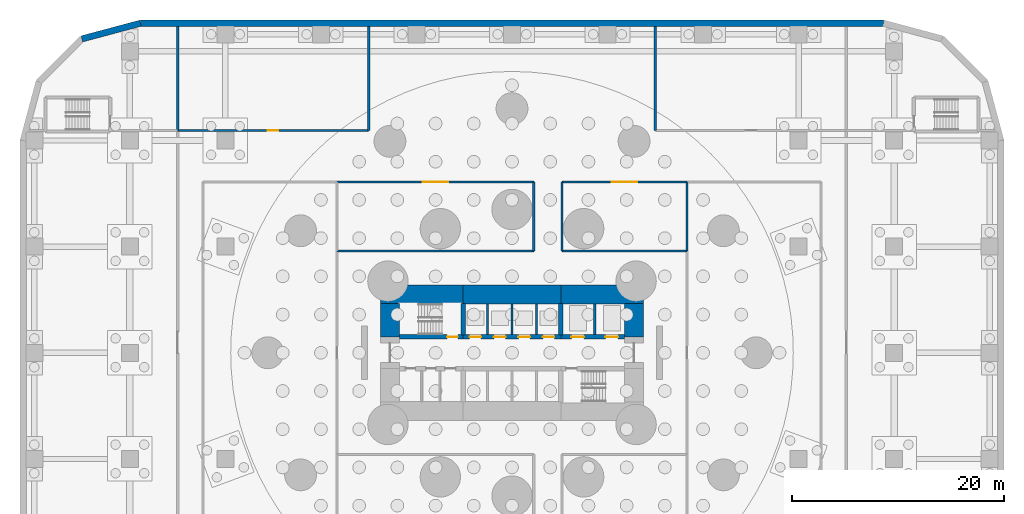
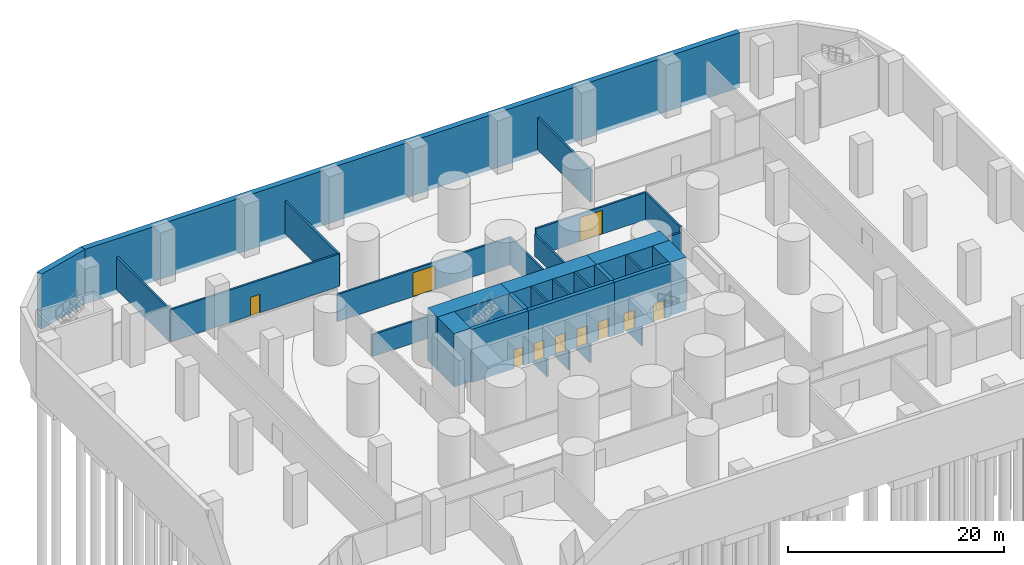
# One storey, part 6 of 10: 27 walls, 10 doors, 10 openings.
"""IFC4 building model written with IfcOpenShell, lengths in metres."""

from ifc_helpers import new_model, si_unit, direction, frame, frame_2d, origin, place, context, subcontext, project, spatial, rectangle, extrude, material, layer, layer_set, type_object, element, fill, save


model = new_model("IFC4")

# Units and contexts
model_context = context("Model", 3, precision=1e-05, world=origin(), true_north=direction((0.0, 1.0)))
body_context = subcontext(model_context, "Body", "Model", "MODEL_VIEW")
ifc_project = project(units=[si_unit("LENGTHUNIT", "METRE"), si_unit("AREAUNIT", "SQUARE_METRE"), si_unit("VOLUMEUNIT", "CUBIC_METRE"), si_unit("PLANEANGLEUNIT", "RADIAN"), si_unit("MASSUNIT", "GRAM", prefix="KILO")], contexts=[model_context])

# Site, building, storey
site_placement = place(None, origin())
site = spatial("IfcSite", under=ifc_project, at=site_placement, CompositionType="ELEMENT")
building_placement = place(site_placement, origin())
building = spatial("IfcBuilding", under=site, at=building_placement, Name="Qaws Media Tower", CompositionType="ELEMENT")
storey_placement = place(building_placement, frame((0.0, 0.0, -6.0)))
storey = spatial("IfcBuildingStorey", under=building, at=storey_placement, Name="B1", CompositionType="ELEMENT", Elevation=-6.0)

# Wall, opening, door
ifc_material_1 = material(Name="Concrete C60/75", Category="concrete")
ifc_layer_1 = layer(ifc_material_1, 0.39990234375)
ifc_layer_set_1 = layer_set([ifc_layer_1], Name="Core inner wall 400")
wall_type_1 = type_object("IfcWallType", Name="Core inner wall 400", PredefinedType="SHEAR", material=ifc_layer_set_1)
wall_1_placement = place(storey_placement, frame((49.3798828125, 51.5, 0.0), z_axis=(0.0, 0.0, 1.0), x_axis=(1.0, 0.0, 0.0)))
wall_1 = element("IfcWall", 1, at=wall_1_placement, inside=storey, type_object=wall_type_1, Name="W311 SW4 core wall SPNW B1", PredefinedType="SHEAR", context=body_context, shape_type="SweptSolid", body=[
    extrude(rectangle(XDim=6.02001953125, YDim=0.39990234375, at=frame_2d((3.010009765625, 0.0))), origin(), (0.0, 0.0, 1.0), 6.0),
])
opening_1_placement = place(wall_1_placement, frame((4.52001953125, 0.0, 0.0)))
opening_1 = element("IfcOpeningElement", 2, at=opening_1_placement, cuts=wall_1, Name="Opening D1", PredefinedType="OPENING", context=body_context, shape_type="SweptSolid", body=[
    extrude(rectangle(XDim=1.0, YDim=2.10009765625, at=frame_2d((0.5, 1.050048828125))), frame((0.0, 0.2099609375, 0.0), z_axis=(0.0, -1.0, 0.0), x_axis=(1.0, 0.0, 0.0)), (0.0, 0.0, 1.0), 0.419921875),
])
ifc_material_2 = material(Name="Steel, fire rated", Category="steel")
door_type_1 = type_object("IfcDoorType", Name="Stair door 1000 FD120", OperationType="SINGLE_SWING_LEFT", PredefinedType="DOOR", material=ifc_material_2)
door_1_placement = place(opening_1_placement, origin())
door_1 = element("IfcDoor", 3, at=door_1_placement, inside=storey, type_object=door_type_1, Name="D1 stair S1 door B1 in wall W311", OperationType="SINGLE_SWING_LEFT", OverallHeight=2.10009765625, OverallWidth=1.0, PredefinedType="DOOR", context=body_context, shape_type="SweptSolid", body=[
    extrude(rectangle(XDim=1.0, YDim=2.10009765625, at=frame_2d((0.5, 1.050048828125))), frame((0.0, 0.02490234375, 0.0), z_axis=(0.0, -1.0, 0.0), x_axis=(1.0, 0.0, 0.0)), (0.0, 0.0, 1.0), 0.050048828125),
])
fill(opening_1, door_1)

# Wall, openings, doors
wall_2_placement = place(storey_placement, frame((55.39990234375, 51.5, 0.0), z_axis=(0.0, 0.0, 1.0), x_axis=(1.0, 0.0, 0.0)))
wall_2 = element("IfcWall", 4, at=wall_2_placement, inside=storey, type_object=wall_type_1, Name="W314 SW4 core wall SPN B1", PredefinedType="SHEAR", context=body_context, shape_type="SweptSolid", body=[
    extrude(rectangle(XDim=9.2001953125, YDim=0.39990234375, at=frame_2d((4.60009765625, 0.0))), origin(), (0.0, 0.0, 1.0), 6.0),
])
opening_2_placement = place(wall_2_placement, frame((0.60009765625, 0.0, 0.0)))
opening_2 = element("IfcOpeningElement", 5, at=opening_2_placement, cuts=wall_2, Name="Opening LD", PredefinedType="OPENING", context=body_context, shape_type="SweptSolid", body=[
    extrude(rectangle(XDim=1.10009765625, YDim=2.10009765625, at=frame_2d((0.550048828125, 1.050048828125))), frame((0.0, 0.2099609375, 0.0), z_axis=(0.0, -1.0, 0.0), x_axis=(1.0, 0.0, 0.0)), (0.0, 0.0, 1.0), 0.419921875),
])
opening_3_placement = place(wall_2_placement, frame((2.89990234375, 0.0, 0.0)))
opening_3 = element("IfcOpeningElement", 6, at=opening_3_placement, cuts=wall_2, Name="Opening LD", PredefinedType="OPENING", context=body_context, shape_type="SweptSolid", body=[
    extrude(rectangle(XDim=1.10009765625, YDim=2.10009765625, at=frame_2d((0.550048828125, 1.050048828125))), frame((0.0, 0.2099609375, 0.0), z_axis=(0.0, -1.0, 0.0), x_axis=(1.0, 0.0, 0.0)), (0.0, 0.0, 1.0), 0.419921875),
])
opening_4_placement = place(wall_2_placement, frame((5.199951171875, 0.0, 0.0)))
opening_4 = element("IfcOpeningElement", 7, at=opening_4_placement, cuts=wall_2, Name="Opening LD", PredefinedType="OPENING", context=body_context, shape_type="SweptSolid", body=[
    extrude(rectangle(XDim=1.10009765625, YDim=2.10009765625, at=frame_2d((0.550048828125, 1.050048828125))), frame((0.0, 0.2099609375, 0.0), z_axis=(0.0, -1.0, 0.0), x_axis=(1.0, 0.0, 0.0)), (0.0, 0.0, 1.0), 0.419921875),
])
opening_5_placement = place(wall_2_placement, frame((7.5, 0.0, 0.0)))
opening_5 = element("IfcOpeningElement", 8, at=opening_5_placement, cuts=wall_2, Name="Opening LD", PredefinedType="OPENING", context=body_context, shape_type="SweptSolid", body=[
    extrude(rectangle(XDim=1.10009765625, YDim=2.10009765625, at=frame_2d((0.550048828125, 1.050048828125))), frame((0.0, 0.2099609375, 0.0), z_axis=(0.0, -1.0, 0.0), x_axis=(1.0, 0.0, 0.0)), (0.0, 0.0, 1.0), 0.419921875),
])
ifc_material_3 = material(Name="Steel, fire rated", Category="steel")
door_type_2 = type_object("IfcDoorType", Name="Lift landing door 1100", OperationType="SLIDING_TO_LEFT", PredefinedType="DOOR", material=ifc_material_3)
door_2_placement = place(opening_2_placement, origin())
door_2 = element("IfcDoor", 9, at=door_2_placement, inside=storey, type_object=door_type_2, Name="P1 landing door B1 in wall W314", OperationType="SLIDING_TO_LEFT", OverallHeight=2.10009765625, OverallWidth=1.10009765625, PredefinedType="DOOR", context=body_context, shape_type="SweptSolid", body=[
    extrude(rectangle(XDim=1.10009765625, YDim=2.10009765625, at=frame_2d((0.550048828125, 1.050048828125))), frame((0.0, 0.02490234375, 0.0), z_axis=(0.0, -1.0, 0.0), x_axis=(1.0, 0.0, 0.0)), (0.0, 0.0, 1.0), 0.050048828125),
])
fill(opening_2, door_2)
door_3_placement = place(opening_3_placement, origin())
door_3 = element("IfcDoor", 10, at=door_3_placement, inside=storey, type_object=door_type_2, Name="P2 landing door B1 in wall W314", OperationType="SLIDING_TO_LEFT", OverallHeight=2.10009765625, OverallWidth=1.10009765625, PredefinedType="DOOR", context=body_context, shape_type="SweptSolid", body=[
    extrude(rectangle(XDim=1.10009765625, YDim=2.10009765625, at=frame_2d((0.550048828125, 1.050048828125))), frame((0.0, 0.02490234375, 0.0), z_axis=(0.0, -1.0, 0.0), x_axis=(1.0, 0.0, 0.0)), (0.0, 0.0, 1.0), 0.050048828125),
])
fill(opening_3, door_3)
door_4_placement = place(opening_4_placement, origin())
door_4 = element("IfcDoor", 11, at=door_4_placement, inside=storey, type_object=door_type_2, Name="P3 landing door B1 in wall W314", OperationType="SLIDING_TO_LEFT", OverallHeight=2.10009765625, OverallWidth=1.10009765625, PredefinedType="DOOR", context=body_context, shape_type="SweptSolid", body=[
    extrude(rectangle(XDim=1.10009765625, YDim=2.10009765625, at=frame_2d((0.550048828125, 1.050048828125))), frame((0.0, 0.02490234375, 0.0), z_axis=(0.0, -1.0, 0.0), x_axis=(1.0, 0.0, 0.0)), (0.0, 0.0, 1.0), 0.050048828125),
])
fill(opening_4, door_4)
door_5_placement = place(opening_5_placement, origin())
door_5 = element("IfcDoor", 12, at=door_5_placement, inside=storey, type_object=door_type_2, Name="P4 landing door B1 in wall W314", OperationType="SLIDING_TO_LEFT", OverallHeight=2.10009765625, OverallWidth=1.10009765625, PredefinedType="DOOR", context=body_context, shape_type="SweptSolid", body=[
    extrude(rectangle(XDim=1.10009765625, YDim=2.10009765625, at=frame_2d((0.550048828125, 1.050048828125))), frame((0.0, 0.02490234375, 0.0), z_axis=(0.0, -1.0, 0.0), x_axis=(1.0, 0.0, 0.0)), (0.0, 0.0, 1.0), 0.050048828125),
])
fill(opening_5, door_5)

wall_3_placement = place(storey_placement, frame((64.60009765625, 51.5, 0.0), z_axis=(0.0, 0.0, 1.0), x_axis=(1.0, 0.0, 0.0)))
wall_3 = element("IfcWall", 13, at=wall_3_placement, inside=storey, type_object=wall_type_1, Name="W318 SW4 core wall SPNE B1", PredefinedType="SHEAR", context=body_context, shape_type="SweptSolid", body=[
    extrude(rectangle(XDim=6.02001953125, YDim=0.39990234375, at=frame_2d((3.010009765625, 0.0))), origin(), (0.0, 0.0, 1.0), 6.0),
])
opening_6_placement = place(wall_3_placement, frame((1.0, 0.0, 0.0)))
opening_6 = element("IfcOpeningElement", 14, at=opening_6_placement, cuts=wall_3, Name="Opening LD2", PredefinedType="OPENING", context=body_context, shape_type="SweptSolid", body=[
    extrude(rectangle(XDim=1.199951171875, YDim=2.10009765625, at=frame_2d((0.60009765625, 1.050048828125))), frame((0.0, 0.2099609375, 0.0), z_axis=(0.0, -1.0, 0.0), x_axis=(1.0, 0.0, 0.0)), (0.0, 0.0, 1.0), 0.419921875),
])
opening_7_placement = place(wall_3_placement, frame((4.199951171875, 0.0, 0.0)))
opening_7 = element("IfcOpeningElement", 15, at=opening_7_placement, cuts=wall_3, Name="Opening LD2", PredefinedType="OPENING", context=body_context, shape_type="SweptSolid", body=[
    extrude(rectangle(XDim=1.199951171875, YDim=2.10009765625, at=frame_2d((0.60009765625, 1.050048828125))), frame((0.0, 0.2099609375, 0.0), z_axis=(0.0, -1.0, 0.0), x_axis=(1.0, 0.0, 0.0)), (0.0, 0.0, 1.0), 0.419921875),
])
ifc_material_4 = material(Name="Steel, fire rated", Category="steel")
door_type_3 = type_object("IfcDoorType", Name="Lift landing door 1200", OperationType="SLIDING_TO_LEFT", PredefinedType="DOOR", material=ifc_material_4)
door_6_placement = place(opening_6_placement, origin())
door_6 = element("IfcDoor", 16, at=door_6_placement, inside=storey, type_object=door_type_3, Name="FL1 landing door B1 in wall W318", OperationType="SLIDING_TO_LEFT", OverallHeight=2.10009765625, OverallWidth=1.199951171875, PredefinedType="DOOR", context=body_context, shape_type="SweptSolid", body=[
    extrude(rectangle(XDim=1.199951171875, YDim=2.10009765625, at=frame_2d((0.60009765625, 1.050048828125))), frame((0.0, 0.02490234375, 0.0), z_axis=(0.0, -1.0, 0.0), x_axis=(1.0, 0.0, 0.0)), (0.0, 0.0, 1.0), 0.050048828125),
])
fill(opening_6, door_6)
door_7_placement = place(opening_7_placement, origin())
door_7 = element("IfcDoor", 17, at=door_7_placement, inside=storey, type_object=door_type_3, Name="FL2 landing door B1 in wall W318", OperationType="SLIDING_TO_LEFT", OverallHeight=2.10009765625, OverallWidth=1.199951171875, PredefinedType="DOOR", context=body_context, shape_type="SweptSolid", body=[
    extrude(rectangle(XDim=1.199951171875, YDim=2.10009765625, at=frame_2d((0.60009765625, 1.050048828125))), frame((0.0, 0.02490234375, 0.0), z_axis=(0.0, -1.0, 0.0), x_axis=(1.0, 0.0, 0.0)), (0.0, 0.0, 1.0), 0.050048828125),
])
fill(opening_7, door_7)

# Walls
for number, where, z_axis, x_axis, name in (
    (18, (55.39990234375, 51.679931640625, 0.0), (0.0, 0.0, 1.0), (0.0, 1.0, 0.0), "W315 SW4 core wall XNW B1"),
    (19, (64.60009765625, 51.679931640625, 0.0), (0.0, 0.0, 1.0), (0.0, 1.0, 0.0), "W319 SW4 core wall XNE B1"),
):
    element("IfcWall", number, at=place(storey_placement, frame(where, z_axis=z_axis, x_axis=x_axis)), inside=storey, type_object=wall_type_1, Name=name, PredefinedType="SHEAR", context=body_context, shape_type="SweptSolid", body=[
        extrude(rectangle(XDim=2.940185546875, YDim=0.39990234375, at=frame_2d((1.47021484375, 0.0))), origin(), (0.0, 0.0, 1.0), 6.0),
    ])
ifc_material_5 = material(Name="Concrete C60/75", Category="concrete")
ifc_layer_2 = layer(ifc_material_5, 1.800048828125)
ifc_layer_set_2 = layer_set([ifc_layer_2], Name="Core wall 1800")
wall_type_2 = type_object("IfcWallType", Name="Core wall 1800", PredefinedType="SHEAR", material=ifc_layer_set_2)
wall_4_placement = place(storey_placement, frame((47.60009765625, 55.5, 0.0), z_axis=(0.0, 0.0, 1.0), x_axis=(1.0, 0.0, 0.0)))
element("IfcWall", 20, at=wall_4_placement, inside=storey, type_object=wall_type_2, Name="W399 SW11 core wall NW B1", PredefinedType="SHEAR", context=body_context, shape_type="SweptSolid", body=[
    extrude(rectangle(XDim=7.7998046875, YDim=1.800048828125, at=frame_2d((3.89990234375, 0.0))), origin(), (0.0, 0.0, 1.0), 6.0),
])
wall_5_placement = place(storey_placement, frame((55.39990234375, 55.5, 0.0), z_axis=(0.0, 0.0, 1.0), x_axis=(1.0, 0.0, 0.0)))
element("IfcWall", 21, at=wall_5_placement, inside=storey, type_object=wall_type_2, Name="W404 SW11 core wall N B1", PredefinedType="SHEAR", context=body_context, shape_type="SweptSolid", body=[
    extrude(rectangle(XDim=9.2001953125, YDim=1.800048828125, at=frame_2d((4.60009765625, 0.0))), origin(), (0.0, 0.0, 1.0), 6.0),
])
wall_6_placement = place(storey_placement, frame((64.60009765625, 55.5, 0.0), z_axis=(0.0, 0.0, 1.0), x_axis=(1.0, 0.0, 0.0)))
element("IfcWall", 22, at=wall_6_placement, inside=storey, type_object=wall_type_2, Name="W406 SW11 core wall NE B1", PredefinedType="SHEAR", context=body_context, shape_type="SweptSolid", body=[
    extrude(rectangle(XDim=7.7998046875, YDim=1.800048828125, at=frame_2d((3.89990234375, 0.0))), origin(), (0.0, 0.0, 1.0), 6.0),
])
for number, where, z_axis, x_axis, name in (
    (23, (71.5, 51.5, 0.0), (0.0, 0.0, 1.0), (0.0, 1.0, 0.0), "W409 SW11 core wall EN B1"),
    (24, (48.5, 51.5, 0.0), (0.0, 0.0, 1.0), (0.0, 1.0, 0.0), "W402 SW11 core wall WN B1"),
):
    element("IfcWall", number, at=place(storey_placement, frame(where, z_axis=z_axis, x_axis=x_axis)), inside=storey, type_object=wall_type_2, Name=name, PredefinedType="SHEAR", context=body_context, shape_type="SweptSolid", body=[
        extrude(rectangle(XDim=3.1201171875, YDim=1.800048828125, at=frame_2d((1.56005859375, 0.0))), origin(), (0.0, 0.0, 1.0), 6.0),
    ])
ifc_material_6 = material(Name="215 dense concrete blockwork, fair faced", Category="masonry")
ifc_layer_3 = layer(ifc_material_6, 0.215087890625)
ifc_layer_set_3 = layer_set([ifc_layer_3], Name="Plant room blockwork wall 215")
wall_type_3 = type_object("IfcWallType", Name="Plant room blockwork wall 215", PredefinedType="PARTITIONING", material=ifc_layer_set_3)
for number, where, z_axis, x_axis, name in (
    (25, (28.5, 70.949951171875, 0.0), (0.0, 0.0, 1.0), (0.0, 1.0, 0.0), "W735 IW7 partition B1"),
    (26, (46.5, 70.949951171875, 0.0), (0.0, 0.0, 1.0), (0.0, 1.0, 0.0), "W739 IW7 partition B1"),
    (27, (73.5, 70.949951171875, 0.0), (0.0, 0.0, 1.0), (0.0, 1.0, 0.0), "W742 IW7 partition B1"),
):
    element("IfcWall", number, at=place(storey_placement, frame(where, z_axis=z_axis, x_axis=x_axis)), inside=storey, type_object=wall_type_3, Name=name, PredefinedType="PARTITIONING", context=body_context, shape_type="SweptSolid", body=[
        extrude(rectangle(XDim=9.795166015625, YDim=0.215087890625, at=frame_2d((4.8974609375, 0.0))), origin(), (0.0, 0.0, 1.0), 3.679931640625),
    ])
ifc_material_7 = material(Name="Concrete C60/75", Category="concrete")
ifc_layer_4 = layer(ifc_material_7, 0.60009765625)
ifc_layer_set_4 = layer_set([ifc_layer_4], Name="Retaining wall 600")
wall_type_4 = type_object("IfcWallType", Name="Retaining wall 600", PredefinedType="SOLIDWALL", material=ifc_layer_set_4)
wall_7_placement = place(storey_placement, frame((95.0, 81.050048828125, -0.5), z_axis=(0.0, 0.0, 1.0), x_axis=(-1.0, 0.0, 0.0)))
element("IfcWall", 28, at=wall_7_placement, inside=storey, type_object=wall_type_4, Name="W804 RW1 retaining wall 8", PredefinedType="SOLIDWALL", context=body_context, shape_type="SweptSolid", body=[
    extrude(rectangle(XDim=70.0, YDim=0.60009765625, at=frame_2d((35.0, 0.0))), origin(), (0.0, 0.0, 1.0), 6.199951171875),
])
wall_8_placement = place(storey_placement, frame((25.0, 81.050048828125, -0.5), z_axis=(0.0, 0.0, 1.0), x_axis=(-0.965922520654, -0.258831381584, 0.0)))
element("IfcWall", 29, at=wall_8_placement, inside=storey, type_object=wall_type_4, Name="W802 RW1 retaining wall 9", PredefinedType="SOLIDWALL", context=body_context, shape_type="SweptSolid", body=[
    extrude(rectangle(XDim=5.7197265625, YDim=0.60009765625, at=frame_2d((2.85986328125, 0.0))), origin(), (0.0, 0.0, 1.0), 6.199951171875),
])
ifc_material_8 = material(Name="Gypsum board on galvanised metal studs, acoustic double stud, deflection head", Category="gypsum")
ifc_layer_5 = layer(ifc_material_8, 0.199951171875)
ifc_layer_set_5 = layer_set([ifc_layer_5], Name="Room partition 200")
wall_type_5 = type_object("IfcWallType", Name="Room partition 200", PredefinedType="PARTITIONING", material=ifc_layer_set_5)
wall_9_placement = place(storey_placement, frame((62.050048828125, 59.60009765625, 0.0), z_axis=(0.0, 0.0, 1.0), x_axis=(0.0, 1.0, 0.0)))
element("IfcWall", 30, at=wall_9_placement, inside=storey, type_object=wall_type_5, Name="W825 IW3 partition B1", PredefinedType="PARTITIONING", context=body_context, shape_type="SweptSolid", body=[
    extrude(rectangle(XDim=6.5, YDim=0.199951171875, at=frame_2d((3.25, 0.0))), origin(), (0.0, 0.0, 1.0), 3.080078125),
])
wall_10_placement = place(storey_placement, frame((64.699951171875, 59.60009765625, 0.0), z_axis=(0.0, 0.0, 1.0), x_axis=(0.0, 1.0, 0.0)))
element("IfcWall", 31, at=wall_10_placement, inside=storey, type_object=wall_type_5, Name="W829 IW3 partition B1", PredefinedType="PARTITIONING", context=body_context, shape_type="SweptSolid", body=[
    extrude(rectangle(XDim=6.5, YDim=0.199951171875, at=frame_2d((3.25, 0.0))), origin(), (0.0, 0.0, 1.0), 2.47998046875),
])
wall_11_placement = place(storey_placement, frame((76.5, 59.60009765625, 0.0), z_axis=(0.0, 0.0, 1.0), x_axis=(0.0, 1.0, 0.0)))
element("IfcWall", 32, at=wall_11_placement, inside=storey, type_object=wall_type_5, Name="W836 IW3 partition B1", PredefinedType="PARTITIONING", context=body_context, shape_type="SweptSolid", body=[
    extrude(rectangle(XDim=6.5, YDim=0.199951171875, at=frame_2d((3.25, 0.0))), origin(), (0.0, 0.0, 1.0), 3.080078125),
])
wall_12_placement = place(storey_placement, frame((43.5, 59.60009765625, 0.0), z_axis=(0.0, 0.0, 1.0), x_axis=(1.0, 0.0, 0.0)))
element("IfcWall", 33, at=wall_12_placement, inside=storey, type_object=wall_type_5, Name="W822 IW3 partition B1", PredefinedType="PARTITIONING", context=body_context, shape_type="SweptSolid", body=[
    extrude(rectangle(XDim=18.550048828125, YDim=0.199951171875, at=frame_2d((9.27490234375, 0.0))), origin(), (0.0, 0.0, 1.0), 2.47998046875),
])
wall_13_placement = place(storey_placement, frame((64.699951171875, 59.60009765625, 0.0), z_axis=(0.0, 0.0, 1.0), x_axis=(1.0, 0.0, 0.0)))
element("IfcWall", 34, at=wall_13_placement, inside=storey, type_object=wall_type_5, Name="W830 IW3 partition B1", PredefinedType="PARTITIONING", context=body_context, shape_type="SweptSolid", body=[
    extrude(rectangle(XDim=11.800048828125, YDim=0.199951171875, at=frame_2d((5.89990234375, 0.0))), origin(), (0.0, 0.0, 1.0), 2.47998046875),
])

# Wall, opening, door
wall_14_placement = place(storey_placement, frame((43.5, 66.10009765625, 0.0), z_axis=(0.0, 0.0, 1.0), x_axis=(1.0, 0.0, 0.0)))
wall_14 = element("IfcWall", 35, at=wall_14_placement, inside=storey, type_object=wall_type_5, Name="W823 IW3 partition B1", PredefinedType="PARTITIONING", context=body_context, shape_type="SweptSolid", body=[
    extrude(rectangle(XDim=18.550048828125, YDim=0.199951171875, at=frame_2d((9.27490234375, 0.0))), origin(), (0.0, 0.0, 1.0), 3.080078125),
])
opening_8_placement = place(wall_14_placement, frame((8.074951171875, 0.0, 0.0)))
opening_8 = element("IfcOpeningElement", 36, at=opening_8_placement, cuts=wall_14, Name="Opening D20", PredefinedType="OPENING", context=body_context, shape_type="SweptSolid", body=[
    extrude(rectangle(XDim=2.39990234375, YDim=2.699951171875, at=frame_2d((1.199951171875, 1.35009765625))), frame((0.0, 0.10986328125, 0.0), z_axis=(0.0, -1.0, 0.0), x_axis=(1.0, 0.0, 0.0)), (0.0, 0.0, 1.0), 0.219970703125),
])
ifc_material_9 = material(Name="Steel, fire rated", Category="steel")
door_type_4 = type_object("IfcDoorType", Name="Workshop door pair 2400x2700", OperationType="DOUBLE_DOOR_DOUBLE_SWING", PredefinedType="DOOR", material=ifc_material_9)
door_8_placement = place(opening_8_placement, origin())
door_8 = element("IfcDoor", 37, at=door_8_placement, inside=storey, type_object=door_type_4, Name="D20 Props store door in wall W823", OperationType="DOUBLE_DOOR_DOUBLE_SWING", OverallHeight=2.699951171875, OverallWidth=2.39990234375, PredefinedType="DOOR", context=body_context, shape_type="SweptSolid", body=[
    extrude(rectangle(XDim=2.39990234375, YDim=2.699951171875, at=frame_2d((1.199951171875, 1.35009765625))), frame((0.0, 0.02490234375, 0.0), z_axis=(0.0, -1.0, 0.0), x_axis=(1.0, 0.0, 0.0)), (0.0, 0.0, 1.0), 0.050048828125),
])
fill(opening_8, door_8)

wall_15_placement = place(storey_placement, frame((64.699951171875, 66.10009765625, 0.0), z_axis=(0.0, 0.0, 1.0), x_axis=(1.0, 0.0, 0.0)))
wall_15 = element("IfcWall", 38, at=wall_15_placement, inside=storey, type_object=wall_type_5, Name="W831 IW3 partition B1", PredefinedType="PARTITIONING", context=body_context, shape_type="SweptSolid", body=[
    extrude(rectangle(XDim=11.800048828125, YDim=0.199951171875, at=frame_2d((5.89990234375, 0.0))), origin(), (0.0, 0.0, 1.0), 3.080078125),
])
opening_9_placement = place(wall_15_placement, frame((4.699951171875, 0.0, 0.0)))
opening_9 = element("IfcOpeningElement", 39, at=opening_9_placement, cuts=wall_15, Name="Opening D20", PredefinedType="OPENING", context=body_context, shape_type="SweptSolid", body=[
    extrude(rectangle(XDim=2.39990234375, YDim=2.699951171875, at=frame_2d((1.199951171875, 1.35009765625))), frame((0.0, 0.10986328125, 0.0), z_axis=(0.0, -1.0, 0.0), x_axis=(1.0, 0.0, 0.0)), (0.0, 0.0, 1.0), 0.219970703125),
])
door_9_placement = place(opening_9_placement, origin())
door_9 = element("IfcDoor", 40, at=door_9_placement, inside=storey, type_object=door_type_4, Name="D20 Scenery store door in wall W831", OperationType="DOUBLE_DOOR_DOUBLE_SWING", OverallHeight=2.699951171875, OverallWidth=2.39990234375, PredefinedType="DOOR", context=body_context, shape_type="SweptSolid", body=[
    extrude(rectangle(XDim=2.39990234375, YDim=2.699951171875, at=frame_2d((1.199951171875, 1.35009765625))), frame((0.0, 0.02490234375, 0.0), z_axis=(0.0, -1.0, 0.0), x_axis=(1.0, 0.0, 0.0)), (0.0, 0.0, 1.0), 0.050048828125),
])
fill(opening_9, door_9)

wall_16_placement = place(storey_placement, frame((28.5, 70.949951171875, 0.0), z_axis=(0.0, 0.0, 1.0), x_axis=(1.0, 0.0, 0.0)))
wall_16 = element("IfcWall", 41, at=wall_16_placement, inside=storey, type_object=wall_type_5, Name="W813 IW3 partition B1", PredefinedType="PARTITIONING", context=body_context, shape_type="SweptSolid", body=[
    extrude(rectangle(XDim=18.0, YDim=0.199951171875, at=frame_2d((9.0, 0.0))), origin(), (0.0, 0.0, 1.0), 3.679931640625),
])
opening_10_placement = place(wall_16_placement, frame((8.5, 0.0, 0.0)))
opening_10 = element("IfcOpeningElement", 42, at=opening_10_placement, cuts=wall_16, Name="Opening D5", PredefinedType="OPENING", context=body_context, shape_type="SweptSolid", body=[
    extrude(rectangle(XDim=1.0, YDim=2.10009765625, at=frame_2d((0.5, 1.050048828125))), frame((0.0, 0.10986328125, 0.0), z_axis=(0.0, -1.0, 0.0), x_axis=(1.0, 0.0, 0.0)), (0.0, 0.0, 1.0), 0.219970703125),
])
ifc_material_10 = material(Name="Timber veneered, acoustic seal", Category="wood")
door_type_5 = type_object("IfcDoorType", Name="Room door 1000", OperationType="SINGLE_SWING_LEFT", PredefinedType="DOOR", material=ifc_material_10)
door_10_placement = place(opening_10_placement, origin())
door_10 = element("IfcDoor", 43, at=door_10_placement, inside=storey, type_object=door_type_5, Name="D5 Bicycle store door in wall W813", OperationType="SINGLE_SWING_LEFT", OverallHeight=2.10009765625, OverallWidth=1.0, PredefinedType="DOOR", context=body_context, shape_type="SweptSolid", body=[
    extrude(rectangle(XDim=1.0, YDim=2.10009765625, at=frame_2d((0.5, 1.050048828125))), frame((0.0, 0.02490234375, 0.0), z_axis=(0.0, -1.0, 0.0), x_axis=(1.0, 0.0, 0.0)), (0.0, 0.0, 1.0), 0.050048828125),
])
fill(opening_10, door_10)

# Walls
ifc_material_11 = material(Name="Fire-rated gypsum board shaft wall on galvanised metal studs, deflection head", Category="gypsum")
ifc_layer_6 = layer(ifc_material_11, 0.199951171875)
ifc_layer_set_6 = layer_set([ifc_layer_6], Name="Shaft wall 200")
wall_type_6 = type_object("IfcWallType", Name="Shaft wall 200", PredefinedType="PARTITIONING", material=ifc_layer_set_6)
for number, where, z_axis, x_axis, name in (
    (44, (57.699951171875, 51.699951171875, -2.5), (0.0, 0.0, 1.0), (0.0, 1.0, 0.0), "W1836 IW1 shaft wall N1 B1"),
    (45, (60.0, 51.699951171875, -2.5), (0.0, 0.0, 1.0), (0.0, 1.0, 0.0), "W1838 IW1 shaft wall N2 B1"),
    (46, (62.300048828125, 51.699951171875, -2.5), (0.0, 0.0, 1.0), (0.0, 1.0, 0.0), "W1840 IW1 shaft wall N3 B1"),
    (47, (67.800048828125, 51.699951171875, -2.5), (0.0, 0.0, 1.0), (0.0, 1.0, 0.0), "W1841 IW1 shaft wall FL B1"),
):
    element("IfcWall", number, at=place(storey_placement, frame(where, z_axis=z_axis, x_axis=x_axis)), inside=storey, type_object=wall_type_6, Name=name, PredefinedType="PARTITIONING", context=body_context, shape_type="SweptSolid", body=[
        extrude(rectangle(XDim=2.900146484375, YDim=0.199951171875, at=frame_2d((1.4501953125, 0.0))), origin(), (0.0, 0.0, 1.0), 8.5),
    ])

save(model, "model.ifc")
